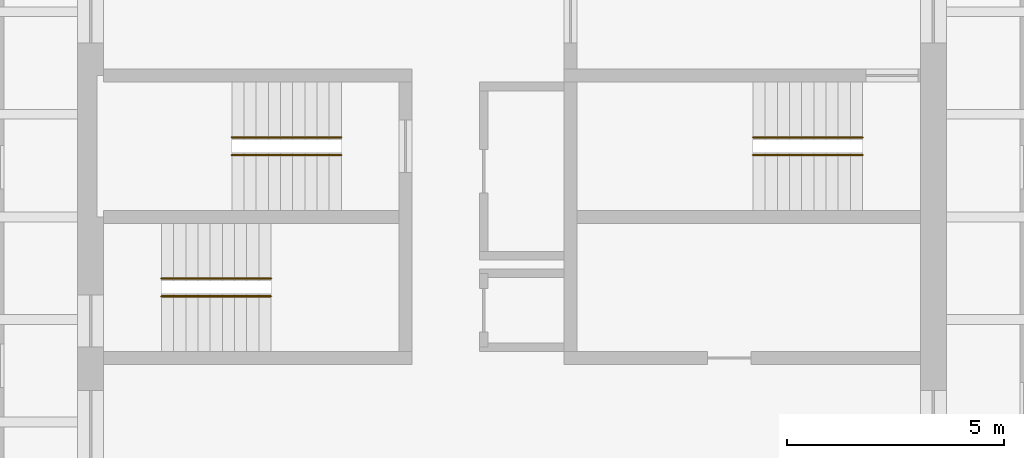
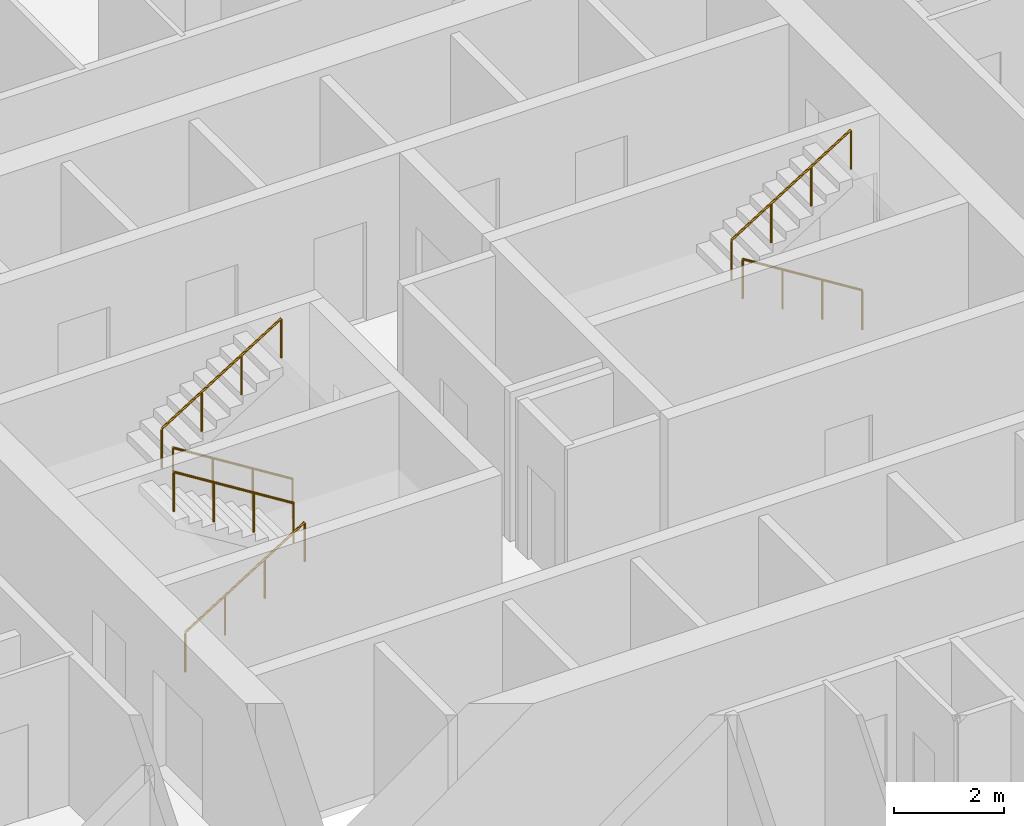
# One storey, part 10 of 10: 6 railings.
"""IFC4 building model written with IfcOpenShell, lengths in metres."""

import ifcopenshell
import ifcopenshell.guid

model = None  # the IFC model being written
_history = None  # IfcOwnerHistory: only IFC2X3 demands one
_inside = {}  # id of a spatial element -> (the spatial element, [elements in it])
_under = {}  # id of a project, library or spatial element -> (it, [spatial elements below it])
_declared = {}  # id of a project -> (the project, [libraries it declares])
_typed = {}  # id of a type object -> (the type object, [elements of that type])
_made_of = {}  # id of a material, layer set ... -> (it, [elements and type objects made of it])


def new_model(schema):
    """Start an empty IFC model of exactly this schema.

    Asked for "IFC4X3", IfcOpenShell would pick the latest addendum, in which some entities
    have other attributes; the version numbers below select the first issue.
    IFC2X3 requires an IfcOwnerHistory on every rooted entity: one is made here for all.
    """
    global model, _history
    if schema == "IFC4X3":
        model = ifcopenshell.file(schema_version=(4, 3, 0, 0))
    else:
        model = ifcopenshell.file(schema=schema)
    _inside.clear()
    _under.clear()
    _declared.clear()
    _typed.clear()
    _made_of.clear()
    _history = None
    if model.schema == "IFC2X3":
        org = make("IfcOrganization", Name="unknown")
        user = make(
            "IfcPersonAndOrganization",
            ThePerson=make("IfcPerson", FamilyName="unknown"),
            TheOrganization=org,
        )
        app = make(
            "IfcApplication",
            ApplicationDeveloper=org,
            Version="unknown",
            ApplicationFullName="unknown",
            ApplicationIdentifier="unknown",
        )
        _history = make(
            "IfcOwnerHistory",
            OwningUser=user,
            OwningApplication=app,
            ChangeAction="ADDED",
            CreationDate=0,
        )
    return model


def make(cls, **values):
    """One entity of the class cls with the attributes given. An attribute that is None is left unset."""
    return model.create_entity(
        cls, **{name: value for name, value in values.items() if value is not None}
    )


def rooted(cls, **values):
    """An entity with a GlobalId (a new one), such as an element, a storey or a relation."""
    return make(cls, GlobalId=ifcopenshell.guid.new(), OwnerHistory=_history, **values)


def si_unit(unit_type, name, prefix=None):
    """IfcSIUnit, for example si_unit("LENGTHUNIT", "METRE", prefix="MILLI")."""
    return make("IfcSIUnit", UnitType=unit_type, Prefix=prefix, Name=name)


def assignment(units):
    """IfcUnitAssignment: the units of a project."""
    return None if units is None else make("IfcUnitAssignment", Units=units)


def point(xyz):
    """IfcCartesianPoint."""
    return None if xyz is None else make("IfcCartesianPoint", Coordinates=xyz)


def direction(xyz):
    """IfcDirection."""
    return None if xyz is None else make("IfcDirection", DirectionRatios=xyz)


def frame(location, z_axis=None, x_axis=None):
    """IfcAxis2Placement3D, a coordinate frame: its origin and axes. An axis left out is left unset."""
    return make(
        "IfcAxis2Placement3D",
        Location=point(location),
        Axis=direction(z_axis),
        RefDirection=direction(x_axis),
    )


def frame_2d(location, x_axis=None):
    """IfcAxis2Placement2D, a coordinate frame in the plane: its origin and x axis."""
    return make(
        "IfcAxis2Placement2D", Location=point(location), RefDirection=direction(x_axis)
    )


def origin():
    """The frame at (0, 0, 0) with its axes left unset."""
    return frame((0.0, 0.0, 0.0))


def origin_2d():
    """The frame at (0, 0) in the plane with its x axis left unset."""
    return frame_2d((0.0, 0.0))


def place(relative_to, where):
    """IfcLocalPlacement: puts the frame where relative to a parent placement (None: the world)."""
    return make(
        "IfcLocalPlacement", PlacementRelTo=relative_to, RelativePlacement=where
    )


def context(
    kind, dimensions, precision=None, world=None, true_north=None, identifier=None
):
    """IfcGeometricRepresentationContext, for example the 3D "Model" context."""
    return make(
        "IfcGeometricRepresentationContext",
        ContextIdentifier=identifier,
        ContextType=kind,
        CoordinateSpaceDimension=dimensions,
        Precision=precision,
        WorldCoordinateSystem=world,
        TrueNorth=true_north,
    )


def subcontext(parent, identifier, kind, view, scale=None):
    """IfcGeometricRepresentationSubContext, for example "Body" below "Model"."""
    return make(
        "IfcGeometricRepresentationSubContext",
        ContextIdentifier=identifier,
        ContextType=kind,
        ParentContext=parent,
        TargetScale=scale,
        TargetView=view,
    )


def project(units=None, contexts=None):
    """IfcProject with its units and contexts."""
    return rooted(
        "IfcProject",
        Name="project",
        RepresentationContexts=contexts,
        UnitsInContext=assignment(units),
    )


def spatial(cls, under=None, at=None, **own):
    """A site, building, storey or space (cls), placed at a placement, below another one or the project."""
    s = rooted(cls, ObjectPlacement=at, **own)
    if under is not None:
        _under.setdefault(under.id(), (under, []))[1].append(s)
    return s


def profile(cls, at=None, kind="AREA", **sizes):
    """A parametric profile (cls). Its sizes go by their IFC names, for example OverallWidth=200.0."""
    return make(cls, ProfileType=kind, Position=at, **sizes)


def circle(**sizes):
    """IfcCircleProfileDef."""
    return profile("IfcCircleProfileDef", **sizes)


def extrude(swept, where, along, depth):
    """IfcExtrudedAreaSolid: the profile swept, set in the frame where, extruded along a direction by depth."""
    return make(
        "IfcExtrudedAreaSolid",
        SweptArea=swept,
        Position=where,
        ExtrudedDirection=direction(along),
        Depth=depth,
    )


def shape(context_of_items, identifier, shape_type, items):
    """IfcShapeRepresentation: the items that make up one representation, for example the "Body"."""
    return make(
        "IfcShapeRepresentation",
        ContextOfItems=context_of_items,
        RepresentationIdentifier=identifier,
        RepresentationType=shape_type,
        Items=items,
    )


def material(Name=None, Category=None):
    """IfcMaterial."""
    return make("IfcMaterial", Name=Name, Category=Category)


def made_of(thing, what):
    """Note that an element or type object is made of a material, layer set ...; save() writes the relation."""
    if what is not None:
        _made_of.setdefault(what.id(), (what, []))[1].append(thing)
    return thing


def type_object(cls, material=None, **own):
    """A type object (cls), such as IfcWallType, which elements share."""
    return made_of(rooted(cls, **own), material)


def element(
    cls,
    number,
    at=None,
    inside=None,
    cuts=None,
    type_object=None,
    material=None,
    context=None,
    identifier="Body",
    shape_type=None,
    held_by="IfcProductDefinitionShape",
    body=None,
    shapes=None,
    **own,
):
    """One element of the class cls, such as IfcWall. Its Tag is "e" and its number.

    at: its placement. inside: the storey or other place that contains it. cuts: it is an
    opening in that element (IfcRelVoidsElement). A single representation is given by context,
    identifier, shape_type and body (its items); several are given by shapes. held_by: the class
    of the entity that holds the representations. save() writes the other relations.
    """
    e = rooted(cls, Tag="e%d" % number, ObjectPlacement=at, **own)
    if body is not None:
        shapes = [shape(context, identifier, shape_type, body)]
    if shapes is not None:
        e.Representation = make(held_by, Representations=shapes)
    if inside is not None:
        _inside.setdefault(inside.id(), (inside, []))[1].append(e)
    if cuts is not None:
        rooted(
            "IfcRelVoidsElement", RelatingBuildingElement=cuts, RelatedOpeningElement=e
        )
    if type_object is not None:
        _typed.setdefault(type_object.id(), (type_object, []))[1].append(e)
    return made_of(e, material)


def aggregate(whole, parts):
    """IfcRelAggregates: a whole, such as a stair, and the parts it consists of."""
    return rooted("IfcRelAggregates", RelatingObject=whole, RelatedObjects=parts)


def save(model, path):
    """Write the relations noted so far, then the file.

    IfcRelAggregates (storeys below a building ...), IfcRelContainedInSpatialStructure (elements
    in a storey), IfcRelDefinesByType, IfcRelAssociatesMaterial and IfcRelDeclares: one each for
    every whole, place, type object, material and project.
    """
    for whole, parts in _under.values():
        aggregate(whole, parts)
    for where, things in _inside.values():
        rooted(
            "IfcRelContainedInSpatialStructure",
            RelatedElements=things,
            RelatingStructure=where,
        )
    for kind, things in _typed.values():
        rooted("IfcRelDefinesByType", RelatedObjects=things, RelatingType=kind)
    for what, things in _made_of.values():
        rooted("IfcRelAssociatesMaterial", RelatedObjects=things, RelatingMaterial=what)
    for by, libraries in _declared.values():
        rooted("IfcRelDeclares", RelatingContext=by, RelatedDefinitions=libraries)
    model.write(path)


model = new_model("IFC4")

# Units and contexts
model_context = context("Model", 3, precision=1e-05, world=origin(), true_north=direction((0.0, 1.0)))
body_context = subcontext(model_context, "Body", "Model", "MODEL_VIEW")
ifc_project = project(units=[si_unit("LENGTHUNIT", "METRE"), si_unit("AREAUNIT", "SQUARE_METRE"), si_unit("VOLUMEUNIT", "CUBIC_METRE"), si_unit("PLANEANGLEUNIT", "RADIAN"), si_unit("MASSUNIT", "GRAM", prefix="KILO")], contexts=[model_context])

# Site, building, storey
site_placement = place(None, origin())
site = spatial("IfcSite", under=ifc_project, at=site_placement, CompositionType="ELEMENT")
building_placement = place(site_placement, origin())
building = spatial("IfcBuilding", under=site, at=building_placement, Name="Turquesa Mirador Hotel Tower", CompositionType="ELEMENT")
storey_placement = place(building_placement, frame((0.0, 0.0, 77.5)))
storey = spatial("IfcBuildingStorey", under=building, at=storey_placement, Name="L20", CompositionType="ELEMENT", Elevation=77.5)

# Railings
ifc_material = material(Name="Painted steel handrail", Category="steel")
railing_type = type_object("IfcRailingType", Name="HANDRAIL 900 STEEL", PredefinedType="HANDRAIL", material=ifc_material)
railing_1_placement = place(storey_placement, frame((51.070068359375, 46.419921875, 0.175048828125)))
element("IfcRailing", 1, at=railing_1_placement, inside=storey, type_object=railing_type, Name="Handrail ST1", PredefinedType="HANDRAIL", context=body_context, shape_type="SweptSolid", body=[
    extrude(circle(Radius=0.02392578125, at=origin_2d()), frame((0.0, 0.0, 0.8759765625), z_axis=(-0.848007534815, 0.0, 0.529984170421), x_axis=(0.0, -1.0, 0.0)), (0.0, 0.0, 1.0), 2.9716796875),
    extrude(circle(Radius=0.02099609375, at=origin_2d()), origin(), (0.0, 0.0, 1.0), 0.851806640625),
    extrude(circle(Radius=0.02099609375, at=origin_2d()), frame((-0.840087890625, 0.0, 0.52490234375)), (0.0, 0.0, 1.0), 0.851806640625),
    extrude(circle(Radius=0.02099609375, at=origin_2d()), frame((-1.679931640625, 0.0, 1.050048828125)), (0.0, 0.0, 1.0), 0.851806640625),
    extrude(circle(Radius=0.02099609375, at=origin_2d()), frame((-2.52001953125, 0.0, 1.574951171875)), (0.0, 0.0, 1.0), 0.851806640625),
])
for number, where, name in (
    (2, (48.550048828125, 46.830078125, 1.925048828125), "Handrail ST1"),
    (3, (46.929931640625, 43.169921875, 0.175048828125), "Handrail ST2"),
):
    element("IfcRailing", number, at=place(storey_placement, frame(where)), inside=storey, type_object=railing_type, Name=name, PredefinedType="HANDRAIL", context=body_context, shape_type="SweptSolid", body=[
        extrude(circle(Radius=0.02392578125, at=origin_2d()), frame((0.0, 0.0, 0.8759765625), z_axis=(0.848007534815, 0.0, 0.529984170421), x_axis=(0.0, 1.0, 0.0)), (0.0, 0.0, 1.0), 2.9716796875),
        extrude(circle(Radius=0.02099609375, at=origin_2d()), origin(), (0.0, 0.0, 1.0), 0.851806640625),
        extrude(circle(Radius=0.02099609375, at=origin_2d()), frame((0.840087890625, 0.0, 0.52490234375)), (0.0, 0.0, 1.0), 0.851806640625),
        extrude(circle(Radius=0.02099609375, at=origin_2d()), frame((1.679931640625, 0.0, 1.050048828125)), (0.0, 0.0, 1.0), 0.851806640625),
        extrude(circle(Radius=0.02099609375, at=origin_2d()), frame((2.52001953125, 0.0, 1.574951171875)), (0.0, 0.0, 1.0), 0.851806640625),
    ])
for number, where, name in (
    (4, (49.449951171875, 43.580078125, 1.925048828125), "Handrail ST2"),
    (5, (63.070068359375, 46.419921875, 0.175048828125), "Handrail ST3"),
):
    element("IfcRailing", number, at=place(storey_placement, frame(where)), inside=storey, type_object=railing_type, Name=name, PredefinedType="HANDRAIL", context=body_context, shape_type="SweptSolid", body=[
        extrude(circle(Radius=0.02392578125, at=origin_2d()), frame((0.0, 0.0, 0.8759765625), z_axis=(-0.848007534815, 0.0, 0.529984170421), x_axis=(0.0, -1.0, 0.0)), (0.0, 0.0, 1.0), 2.9716796875),
        extrude(circle(Radius=0.02099609375, at=origin_2d()), origin(), (0.0, 0.0, 1.0), 0.851806640625),
        extrude(circle(Radius=0.02099609375, at=origin_2d()), frame((-0.840087890625, 0.0, 0.52490234375)), (0.0, 0.0, 1.0), 0.851806640625),
        extrude(circle(Radius=0.02099609375, at=origin_2d()), frame((-1.679931640625, 0.0, 1.050048828125)), (0.0, 0.0, 1.0), 0.851806640625),
        extrude(circle(Radius=0.02099609375, at=origin_2d()), frame((-2.52001953125, 0.0, 1.574951171875)), (0.0, 0.0, 1.0), 0.851806640625),
    ])
railing_2_placement = place(storey_placement, frame((60.550048828125, 46.830078125, 1.925048828125)))
element("IfcRailing", 6, at=railing_2_placement, inside=storey, type_object=railing_type, Name="Handrail ST3", PredefinedType="HANDRAIL", context=body_context, shape_type="SweptSolid", body=[
    extrude(circle(Radius=0.02392578125, at=origin_2d()), frame((0.0, 0.0, 0.8759765625), z_axis=(0.848007534815, 0.0, 0.529984170421), x_axis=(0.0, 1.0, 0.0)), (0.0, 0.0, 1.0), 2.9716796875),
    extrude(circle(Radius=0.02099609375, at=origin_2d()), origin(), (0.0, 0.0, 1.0), 0.851806640625),
    extrude(circle(Radius=0.02099609375, at=origin_2d()), frame((0.840087890625, 0.0, 0.52490234375)), (0.0, 0.0, 1.0), 0.851806640625),
    extrude(circle(Radius=0.02099609375, at=origin_2d()), frame((1.679931640625, 0.0, 1.050048828125)), (0.0, 0.0, 1.0), 0.851806640625),
    extrude(circle(Radius=0.02099609375, at=origin_2d()), frame((2.52001953125, 0.0, 1.574951171875)), (0.0, 0.0, 1.0), 0.851806640625),
])

save(model, "model.ifc")
